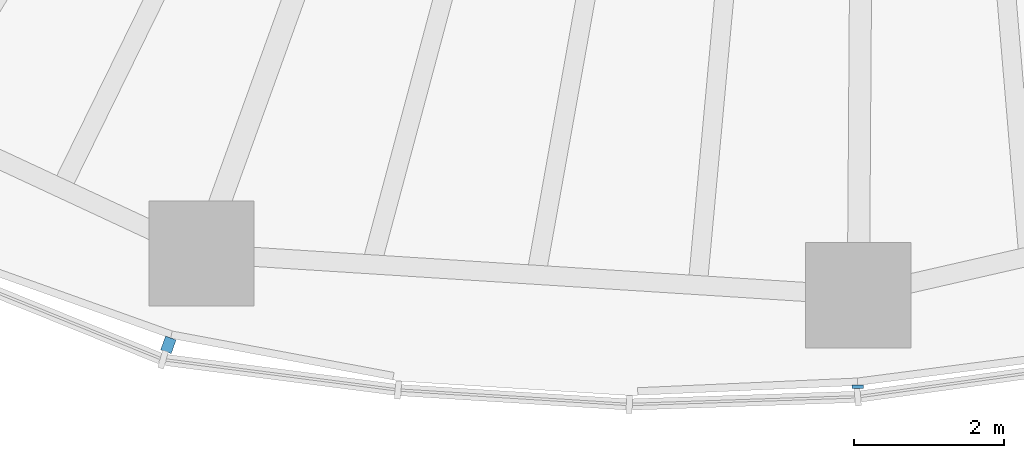
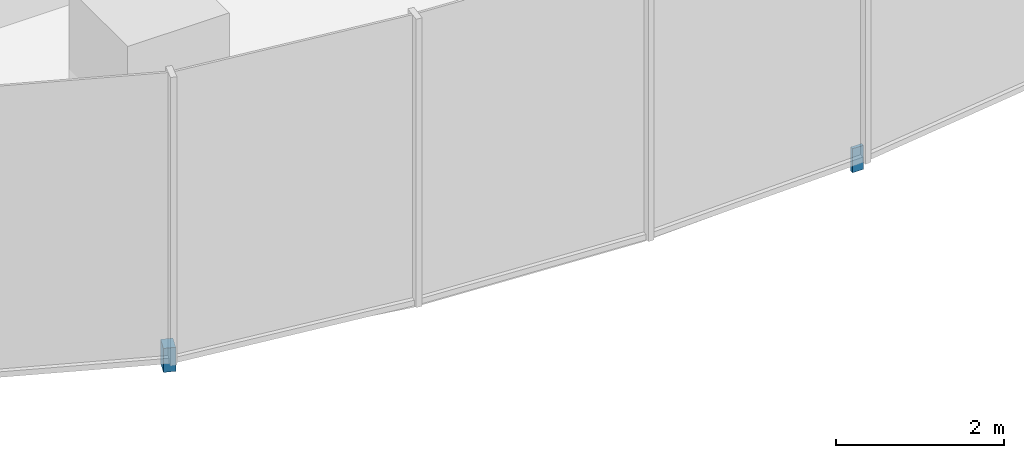
# One storey, part 12 of 18: 2 discrete accessories.
"""IFC4 building model written with IfcOpenShell, lengths in metres."""

from ifc_helpers import new_model, si_unit, direction, frame, origin, origin_2d, place, context, subcontext, project, spatial, rectangle, extrude, material, type_object, element, save


model = new_model("IFC4")

# Units and contexts
model_context = context("Model", 3, precision=1e-05, world=origin(), true_north=direction((0.0, 1.0)))
body_context = subcontext(model_context, "Body", "Model", "MODEL_VIEW")
ifc_project = project(units=[si_unit("LENGTHUNIT", "METRE"), si_unit("AREAUNIT", "SQUARE_METRE"), si_unit("VOLUMEUNIT", "CUBIC_METRE"), si_unit("PLANEANGLEUNIT", "RADIAN"), si_unit("MASSUNIT", "GRAM", prefix="KILO")], contexts=[model_context])

# Site, building, storey
site_placement = place(None, origin())
site = spatial("IfcSite", under=ifc_project, at=site_placement, CompositionType="ELEMENT")
building_placement = place(site_placement, origin())
building = spatial("IfcBuilding", under=site, at=building_placement, Name="Ghaith Harvest Tower", CompositionType="ELEMENT")
storey_placement = place(building_placement, frame((0.0, 0.0, 155.39990234375)))
storey = spatial("IfcBuildingStorey", under=building, at=storey_placement, Name="L33", CompositionType="ELEMENT", Elevation=155.39990234375)

# Discrete accessories
ifc_material_1 = material(Name="Stainless steel grade 1.4401", Category="steel")
discrete_accessory_type_1 = type_object("IfcDiscreteAccessoryType", Name="CURTAIN WALL BRACKET 195", PredefinedType="BRACKET", material=ifc_material_1)
discrete_accessory_1_placement = place(storey_placement, frame((-9.348388671875, -25.883544921875, -0.25), z_axis=(0.0, 0.0, 1.0), x_axis=(-0.33969945263, -0.940534040789, 0.0)))
element("IfcDiscreteAccessory", 1, at=discrete_accessory_1_placement, inside=storey, type_object=discrete_accessory_type_1, Name="CW-L bracket 1 bay 15 L33", PredefinedType="BRACKET", context=body_context, shape_type="SweptSolid", body=[
    extrude(rectangle(XDim=0.195068359375, YDim=0.14990234375, at=origin_2d()), origin(), (0.0, 0.0, 1.0), 0.35009765625),
])
ifc_material_2 = material(Name="Stainless steel grade 1.4401", Category="steel")
discrete_accessory_type_2 = type_object("IfcDiscreteAccessoryType", Name="CURTAIN WALL BRACKET 45", PredefinedType="BRACKET", material=ifc_material_2)
discrete_accessory_2_placement = place(storey_placement, frame((-0.180908203125, -26.441162109375, -0.25), z_axis=(0.0, 0.0, 1.0), x_axis=(-0.006843747957, -0.999976581283, 0.0)))
element("IfcDiscreteAccessory", 2, at=discrete_accessory_2_placement, inside=storey, type_object=discrete_accessory_type_2, Name="CW-L bracket 1 bay 16 L33", PredefinedType="BRACKET", context=body_context, shape_type="SweptSolid", body=[
    extrude(rectangle(XDim=0.044921875, YDim=0.14990234375, at=origin_2d()), origin(), (0.0, 0.0, 1.0), 0.35009765625),
])

save(model, "model.ifc")
